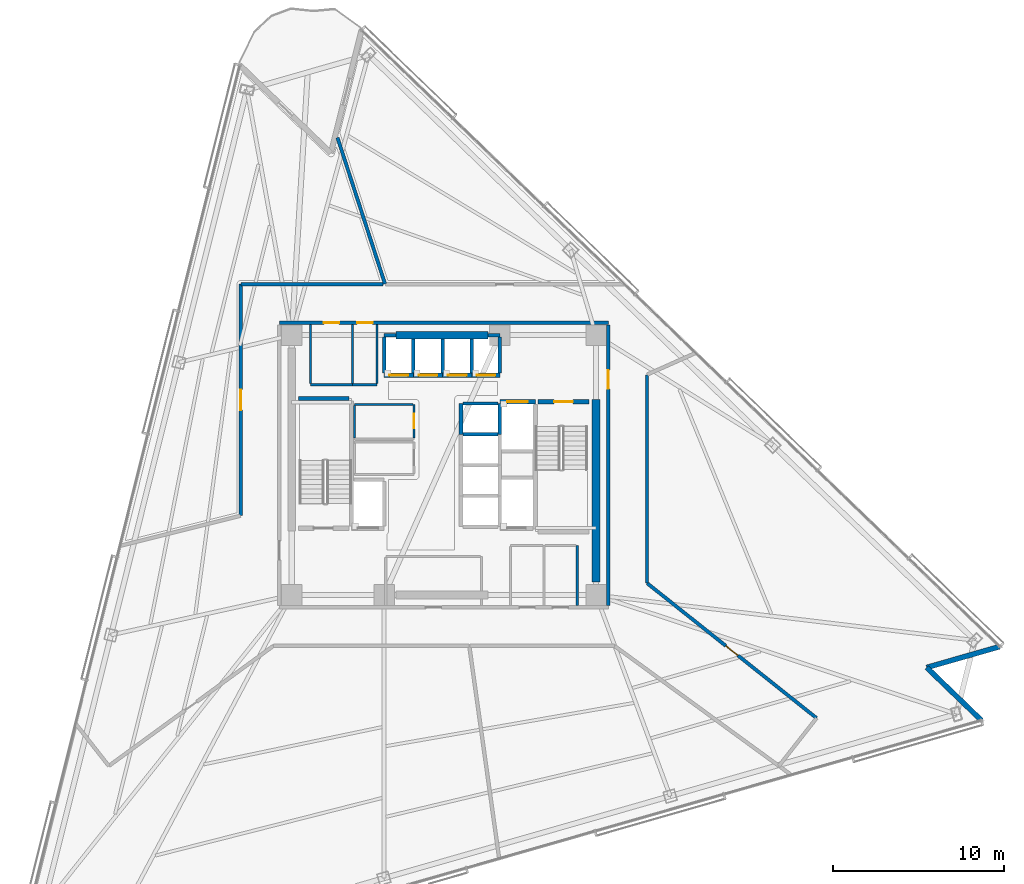
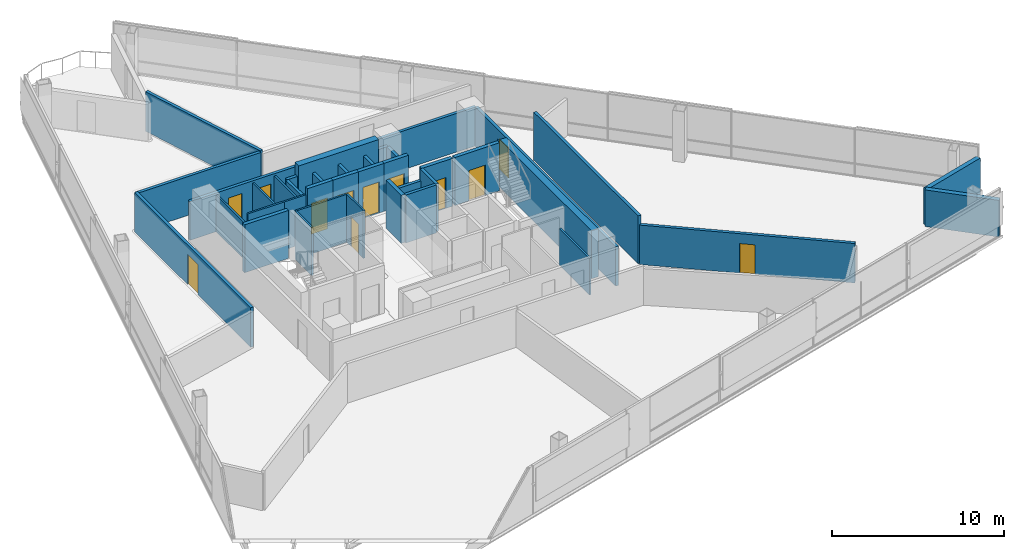
# One storey, part 10 of 18: 38 walls, 12 doors, 12 openings.
"""IFC4 building model written with IfcOpenShell, lengths in metres."""

from ifc_helpers import new_model, si_unit, direction, frame, frame_2d, origin, place, context, subcontext, project, spatial, rectangle, extrude, material, layer, layer_set, type_object, element, fill, save


model = new_model("IFC4")

# Units and contexts
model_context = context("Model", 3, precision=1e-05, world=origin(), true_north=direction((0.0, 1.0)))
body_context = subcontext(model_context, "Body", "Model", "MODEL_VIEW")
ifc_project = project(units=[si_unit("LENGTHUNIT", "METRE"), si_unit("AREAUNIT", "SQUARE_METRE"), si_unit("VOLUMEUNIT", "CUBIC_METRE"), si_unit("PLANEANGLEUNIT", "RADIAN"), si_unit("MASSUNIT", "GRAM", prefix="KILO")], contexts=[model_context])

# Site, building, storey
site_placement = place(None, origin())
site = spatial("IfcSite", under=ifc_project, at=site_placement, CompositionType="ELEMENT")
building_placement = place(site_placement, origin())
building = spatial("IfcBuilding", under=site, at=building_placement, Name="Tharavind Bronze Gate", CompositionType="ELEMENT")
storey_placement = place(building_placement, frame((0.0, 0.0, 100.5)))
storey = spatial("IfcBuildingStorey", under=building, at=storey_placement, Name="L25", CompositionType="ELEMENT", Elevation=100.5)

# Walls
ifc_material_1 = material(Name="Concrete C40/50", Category="concrete")
ifc_layer_1 = layer(ifc_material_1, 0.300048828125)
ifc_layer_set_1 = layer_set([ifc_layer_1], Name="Concrete C40/50")
wall_type_1 = type_object("IfcWallType", Name="EXTERIOR SPANDREL WALL 300", PredefinedType="STANDARD", material=ifc_layer_set_1)
wall_1_placement = place(storey_placement, frame((31.438720703125, -14.926513671875, 0.0), z_axis=(0.0, 0.0, 1.0), x_axis=(-0.719317126864, 0.694681848763, 0.0)))
element("IfcWall", 1, at=wall_1_placement, inside=storey, type_object=wall_type_1, Name="L25 notch cheek wall 3A", PredefinedType="STANDARD", context=body_context, shape_type="SweptSolid", body=[
    extrude(rectangle(XDim=4.439697265625, YDim=0.300048828125, at=frame_2d((2.2197265625, 0.0))), origin(), (0.0, 0.0, 1.0), 2.60498046875),
])
wall_2_placement = place(storey_placement, frame((28.2451171875, -11.84228515625, 0.0), z_axis=(0.0, 0.0, 1.0), x_axis=(0.961255810825, 0.275657878821, 0.0)))
element("IfcWall", 2, at=wall_2_placement, inside=storey, type_object=wall_type_1, Name="L25 notch cheek wall 3B", PredefinedType="STANDARD", context=body_context, shape_type="SweptSolid", body=[
    extrude(rectangle(XDim=4.43994140625, YDim=0.300048828125, at=frame_2d((2.219970703125, 0.0))), origin(), (0.0, 0.0, 1.0), 2.60498046875),
])

# Wall, openings, doors
ifc_material_2 = material(Name="Aerated Concrete Block", Category="concrete")
ifc_layer_2 = layer(ifc_material_2, 0.199951171875)
ifc_layer_set_2 = layer_set([ifc_layer_2], Name="Aerated Concrete Block")
wall_type_2 = type_object("IfcWallType", Name="FIRE RATED PARTITION 200", PredefinedType="PARTITIONING", material=ifc_layer_set_2)
wall_3_placement = place(storey_placement, frame((9.6201171875, 8.320068359375, 0.0), z_axis=(0.0, 0.0, 1.0), x_axis=(-1.0, 0.0, 0.0)))
wall_3 = element("IfcWall", 3, at=wall_3_placement, inside=storey, type_object=wall_type_2, Name="L25 north core corridor wall", PredefinedType="PARTITIONING", context=body_context, shape_type="SweptSolid", body=[
    extrude(rectangle(XDim=19.240234375, YDim=0.199951171875, at=frame_2d((9.6201171875, 0.0))), origin(), (0.0, 0.0, 1.0), 2.7548828125),
])
opening_1_placement = place(wall_3_placement, frame((15.7451171875, 0.0, 0.0)))
opening_1 = element("IfcOpeningElement", 4, at=opening_1_placement, cuts=wall_3, Name="Opening ID07", PredefinedType="OPENING", context=body_context, shape_type="SweptSolid", body=[
    extrude(rectangle(XDim=0.89990234375, YDim=2.10009765625, at=frame_2d((0.449951171875, 1.050048828125))), frame((0.0, 0.11009765625, 0.0), z_axis=(0.0, -1.0, 0.0), x_axis=(1.0, 0.0, 0.0)), (0.0, 0.0, 1.0), 0.219951171875),
])
opening_2_placement = place(wall_3_placement, frame((13.794921875, 0.0, 0.0)))
opening_2 = element("IfcOpeningElement", 5, at=opening_2_placement, cuts=wall_3, Name="Opening ID07", PredefinedType="OPENING", context=body_context, shape_type="SweptSolid", body=[
    extrude(rectangle(XDim=0.89990234375, YDim=2.10009765625, at=frame_2d((0.449951171875, 1.050048828125))), frame((0.0, 0.11009765625, 0.0), z_axis=(0.0, -1.0, 0.0), x_axis=(1.0, 0.0, 0.0)), (0.0, 0.0, 1.0), 0.219951171875),
])
ifc_material_3 = material(Name="Galvanised Fire Steel", Category="steel")
door_type_1 = type_object("IfcDoorType", Name="PLANT AND RISER FIRE DOOR 900X2100", OperationType="SINGLE_SWING_LEFT", PredefinedType="DOOR", material=ifc_material_3)
door_1_placement = place(opening_1_placement, origin())
door_1 = element("IfcDoor", 6, at=door_1_placement, inside=storey, type_object=door_type_1, Name="L25 Electrical Metering Room fire door", OperationType="SINGLE_SWING_LEFT", OverallHeight=2.10009765625, OverallWidth=0.89990234375, PredefinedType="DOOR", context=body_context, shape_type="SweptSolid", body=[
    extrude(rectangle(XDim=0.89990234375, YDim=2.10009765625, at=frame_2d((0.449951171875, 1.050048828125))), frame((0.0, 0.02490234375, 0.0), z_axis=(0.0, -1.0, 0.0), x_axis=(1.0, 0.0, 0.0)), (0.0, 0.0, 1.0), 0.050048828125),
])
fill(opening_1, door_1)
door_2_placement = place(opening_2_placement, origin())
door_2 = element("IfcDoor", 7, at=door_2_placement, inside=storey, type_object=door_type_1, Name="L25 Linen Cupboard fire door", OperationType="SINGLE_SWING_LEFT", OverallHeight=2.10009765625, OverallWidth=0.89990234375, PredefinedType="DOOR", context=body_context, shape_type="SweptSolid", body=[
    extrude(rectangle(XDim=0.89990234375, YDim=2.10009765625, at=frame_2d((0.449951171875, 1.050048828125))), frame((0.0, 0.02490234375, 0.0), z_axis=(0.0, -1.0, 0.0), x_axis=(1.0, 0.0, 0.0)), (0.0, 0.0, 1.0), 0.050048828125),
])
fill(opening_2, door_2)

# Wall, opening, door
wall_4_placement = place(storey_placement, frame((9.6201171875, -8.199951171875, 0.0), z_axis=(0.0, 0.0, 1.0), x_axis=(0.0, 1.0, 0.0)))
wall_4 = element("IfcWall", 8, at=wall_4_placement, inside=storey, type_object=wall_type_2, Name="L25 east core corridor wall", PredefinedType="PARTITIONING", context=body_context, shape_type="SweptSolid", body=[
    extrude(rectangle(XDim=16.39990234375, YDim=0.199951171875, at=frame_2d((8.199951171875, 0.0))), origin(), (0.0, 0.0, 1.0), 2.804931640625),
])
opening_3_placement = place(wall_4_placement, frame((12.64990234375, 0.0, 0.0)))
opening_3 = element("IfcOpeningElement", 9, at=opening_3_placement, cuts=wall_4, Name="Opening ID01", PredefinedType="OPENING", context=body_context, shape_type="SweptSolid", body=[
    extrude(rectangle(XDim=1.10009765625, YDim=2.14990234375, at=frame_2d((0.550048828125, 1.074951171875))), frame((0.0, 0.11009765625, 0.0), z_axis=(0.0, -1.0, 0.0), x_axis=(1.0, 0.0, 0.0)), (0.0, 0.0, 1.0), 0.219951171875),
])
ifc_material_4 = material(Name="Fire-Rated Steel", Category="steel")
door_type_2 = type_object("IfcDoorType", Name="STAIR CORE FIRE DOOR 1100X2150", OperationType="SINGLE_SWING_LEFT", PredefinedType="DOOR", material=ifc_material_4)
door_3_placement = place(opening_3_placement, frame((1.10009765625, 0.0, 0.0), z_axis=(0.0, 0.0, 1.0), x_axis=(-1.0, 0.0, 0.0)))
door_3 = element("IfcDoor", 10, at=door_3_placement, inside=storey, type_object=door_type_2, Name="L25 north east stair lobby fire door", OperationType="SINGLE_SWING_LEFT", OverallHeight=2.14990234375, OverallWidth=1.10009765625, PredefinedType="DOOR", context=body_context, shape_type="SweptSolid", body=[
    extrude(rectangle(XDim=1.10009765625, YDim=2.14990234375, at=frame_2d((0.550048828125, 1.074951171875))), frame((0.0, 0.02490234375, 0.0), z_axis=(0.0, -1.0, 0.0), x_axis=(1.0, 0.0, 0.0)), (0.0, 0.0, 1.0), 0.050048828125),
])
fill(opening_3, door_3)

# Walls
wall_5_placement = place(storey_placement, frame((-3.443359375, 10.597412109375, 0.0), z_axis=(0.0, 0.0, 1.0), x_axis=(-0.309010029932, 0.951058779152, 0.0)))
element("IfcWall", 11, at=wall_5_placement, inside=storey, type_object=wall_type_2, Name="L25 Industrial Design Open Studio partition", PredefinedType="PARTITIONING", context=body_context, shape_type="SweptSolid", body=[
    extrude(rectangle(XDim=9.002197265625, YDim=0.199951171875, at=frame_2d((4.5009765625, 0.0))), origin(), (0.0, 0.0, 1.0), 2.804931640625),
])
wall_6_placement = place(storey_placement, frame((-3.548095703125, 10.580078125, 0.0), z_axis=(0.0, 0.0, 1.0), x_axis=(-1.0, 0.0, 0.0)))
element("IfcWall", 12, at=wall_6_placement, inside=storey, type_object=wall_type_2, Name="L25 Design Review Room partition", PredefinedType="PARTITIONING", context=body_context, shape_type="SweptSolid", body=[
    extrude(rectangle(XDim=8.331298828125, YDim=0.199951171875, at=frame_2d((4.16552734375, 0.0))), origin(), (0.0, 0.0, 1.0), 2.7548828125),
])

# Wall, opening, door
wall_7_placement = place(storey_placement, frame((-11.8798828125, 10.579345703125, 0.0), z_axis=(0.0, 0.0, 1.0), x_axis=(0.0, -1.0, 0.0)))
wall_7 = element("IfcWall", 13, at=wall_7_placement, inside=storey, type_object=wall_type_2, Name="L25 Design Review Room partition", PredefinedType="PARTITIONING", context=body_context, shape_type="SweptSolid", body=[
    extrude(rectangle(XDim=13.521728515625, YDim=0.199951171875, at=frame_2d((6.7607421875, 0.0))), origin(), (0.0, 0.0, 1.0), 2.804931640625),
])
opening_4_placement = place(wall_7_placement, frame((6.160888671875, 0.0, 0.0)))
opening_4 = element("IfcOpeningElement", 14, at=opening_4_placement, cuts=wall_7, Name="Opening ID05", PredefinedType="OPENING", context=body_context, shape_type="SweptSolid", body=[
    extrude(rectangle(XDim=1.199951171875, YDim=2.14990234375, at=frame_2d((0.60009765625, 1.074951171875))), frame((0.0, 0.11009765625, 0.0), z_axis=(0.0, -1.0, 0.0), x_axis=(1.0, 0.0, 0.0)), (0.0, 0.0, 1.0), 0.219951171875),
])
ifc_material_5 = material(Name="Acoustic Laminated Glass", Category="glass")
door_type_3 = type_object("IfcDoorType", Name="MEETING ROOM GLAZED DOOR 1200X2150", OperationType="SINGLE_SWING_LEFT", PredefinedType="DOOR", material=ifc_material_5)
door_4_placement = place(opening_4_placement, origin())
door_4 = element("IfcDoor", 15, at=door_4_placement, inside=storey, type_object=door_type_3, Name="L25 Design Review Room door", OperationType="SINGLE_SWING_LEFT", OverallHeight=2.14990234375, OverallWidth=1.199951171875, PredefinedType="DOOR", context=body_context, shape_type="SweptSolid", body=[
    extrude(rectangle(XDim=1.199951171875, YDim=2.14990234375, at=frame_2d((0.60009765625, 1.074951171875))), frame((0.0, 0.02490234375, 0.0), z_axis=(0.0, -1.0, 0.0), x_axis=(1.0, 0.0, 0.0)), (0.0, 0.0, 1.0), 0.050048828125),
])
fill(opening_4, door_4)

wall_8_placement = place(storey_placement, frame((21.799560546875, -14.799560546875, 0.0), z_axis=(0.0, 0.0, 1.0), x_axis=(-0.782385885542, 0.62279396762, 0.0)))
wall_8 = element("IfcWall", 16, at=wall_8_placement, inside=storey, type_object=wall_type_2, Name="L25 Design Tea Pantry partition", PredefinedType="PARTITIONING", context=body_context, shape_type="SweptSolid", body=[
    extrude(rectangle(XDim=12.66650390625, YDim=0.199951171875, at=frame_2d((6.333251953125, 0.0))), origin(), (0.0, 0.0, 1.0), 2.804931640625),
])
opening_5_placement = place(wall_8_placement, frame((5.883056640625, 0.0, 0.0)))
opening_5 = element("IfcOpeningElement", 17, at=opening_5_placement, cuts=wall_8, Name="Opening ID07", PredefinedType="OPENING", context=body_context, shape_type="SweptSolid", body=[
    extrude(rectangle(XDim=0.89990234375, YDim=2.10009765625, at=frame_2d((0.449951171875, 1.050048828125))), frame((0.0, 0.11009765625, 0.0), z_axis=(0.0, -1.0, 0.0), x_axis=(1.0, 0.0, 0.0)), (0.0, 0.0, 1.0), 0.219951171875),
])
door_5_placement = place(opening_5_placement, origin())
door_5 = element("IfcDoor", 18, at=door_5_placement, inside=storey, type_object=door_type_1, Name="L25 Design Tea Pantry door", OperationType="SINGLE_SWING_LEFT", OverallHeight=2.10009765625, OverallWidth=0.89990234375, PredefinedType="DOOR", context=body_context, shape_type="SweptSolid", body=[
    extrude(rectangle(XDim=0.89990234375, YDim=2.10009765625, at=frame_2d((0.449951171875, 1.050048828125))), frame((0.0, 0.02490234375, 0.0), z_axis=(0.0, -1.0, 0.0), x_axis=(1.0, 0.0, 0.0)), (0.0, 0.0, 1.0), 0.050048828125),
])
fill(opening_5, door_5)

# Wall
wall_9_placement = place(storey_placement, frame((11.8798828125, -6.891357421875, 0.0), z_axis=(0.0, 0.0, 1.0), x_axis=(0.0, 1.0, 0.0)))
element("IfcWall", 19, at=wall_9_placement, inside=storey, type_object=wall_type_2, Name="L25 Design Tea Pantry partition", PredefinedType="PARTITIONING", context=body_context, shape_type="SweptSolid", body=[
    extrude(rectangle(XDim=12.16455078125, YDim=0.199951171875, at=frame_2d((6.082275390625, 0.0))), origin(), (0.0, 0.0, 1.0), 3.409912109375),
])

# Wall, opening, door
ifc_material_6 = material(Name="Metal Stud Gypsum Partition", Category="gypsum")
ifc_layer_3 = layer(ifc_material_6, 0.1201171875)
ifc_layer_set_3 = layer_set([ifc_layer_3], Name="Metal Stud Gypsum Partition")
wall_type_3 = type_object("IfcWallType", Name="INTERIOR PARTITION WALL 120", PredefinedType="PARTITIONING", material=ifc_layer_set_3)
wall_10_placement = place(storey_placement, frame((-1.75, 1.5849609375, 0.0), z_axis=(0.0, 0.0, 1.0), x_axis=(0.0, 1.0, 0.0)))
wall_10 = element("IfcWall", 20, at=wall_10_placement, inside=storey, type_object=wall_type_3, Name="L25 Cleaner Store Room partition 2", PredefinedType="PARTITIONING", context=body_context, shape_type="SweptSolid", body=[
    extrude(rectangle(XDim=1.965087890625, YDim=0.1201171875, at=frame_2d((0.982421875, 0.0))), origin(), (0.0, 0.0, 1.0), 3.409912109375),
])
opening_6_placement = place(wall_10_placement, frame((0.556884765625, 0.0, 0.0)))
opening_6 = element("IfcOpeningElement", 21, at=opening_6_placement, cuts=wall_10, Name="Opening ID06", PredefinedType="OPENING", context=body_context, shape_type="SweptSolid", body=[
    extrude(rectangle(XDim=0.85009765625, YDim=2.10009765625, at=frame_2d((0.425048828125, 1.050048828125))), frame((0.0, 0.07005859375, 0.0), z_axis=(0.0, -1.0, 0.0), x_axis=(1.0, 0.0, 0.0)), (0.0, 0.0, 1.0), 0.1401171875),
])
ifc_material_7 = material(Name="Moisture-Resistant Timber", Category="wood")
door_type_4 = type_object("IfcDoorType", Name="BATHROOM PRIVACY DOOR 850X2100", OperationType="SINGLE_SWING_RIGHT", PredefinedType="DOOR", material=ifc_material_7)
door_6_placement = place(opening_6_placement, frame((0.85009765625, 0.0, 0.0), z_axis=(0.0, 0.0, 1.0), x_axis=(-1.0, 0.0, 0.0)))
door_6 = element("IfcDoor", 22, at=door_6_placement, inside=storey, type_object=door_type_4, Name="L25 Cleaner Store Room door", OperationType="SINGLE_SWING_RIGHT", OverallHeight=2.10009765625, OverallWidth=0.85009765625, PredefinedType="DOOR", context=body_context, shape_type="SweptSolid", body=[
    extrude(rectangle(XDim=0.85009765625, YDim=2.10009765625, at=frame_2d((0.425048828125, 1.050048828125))), frame((0.0, 0.02490234375, 0.0), z_axis=(0.0, -1.0, 0.0), x_axis=(1.0, 0.0, 0.0)), (0.0, 0.0, 1.0), 0.050048828125),
])
fill(opening_6, door_6)

# Walls
wall_11_placement = place(storey_placement, frame((-1.81494140625, 3.550048828125, 0.0), z_axis=(0.0, 0.0, 1.0), x_axis=(-1.0, 0.0, 0.0)))
element("IfcWall", 23, at=wall_11_placement, inside=storey, type_object=wall_type_3, Name="L25 Cleaner Store Room partition 3", PredefinedType="PARTITIONING", context=body_context, shape_type="SweptSolid", body=[
    extrude(rectangle(XDim=3.405029296875, YDim=0.1201171875, at=frame_2d((1.70263671875, 0.0))), origin(), (0.0, 0.0, 1.0), 3.409912109375),
])
wall_12_placement = place(storey_placement, frame((-5.219970703125, 3.485107421875, 0.0), z_axis=(0.0, 0.0, 1.0), x_axis=(0.0, -1.0, 0.0)))
element("IfcWall", 24, at=wall_12_placement, inside=storey, type_object=wall_type_3, Name="L25 Cleaner Store Room partition 4", PredefinedType="PARTITIONING", context=body_context, shape_type="SweptSolid", body=[
    extrude(rectangle(XDim=1.900146484375, YDim=0.1201171875, at=frame_2d((0.9501953125, 0.0))), origin(), (0.0, 0.0, 1.0), 3.409912109375),
])
wall_13_placement = place(storey_placement, frame((-7.800048828125, 4.699951171875, 0.0), z_axis=(0.0, 0.0, 1.0), x_axis=(1.0, 0.0, 0.0)))
element("IfcWall", 25, at=wall_13_placement, inside=storey, type_object=wall_type_3, Name="L25 Electrical Metering Room partition 1", PredefinedType="PARTITIONING", context=body_context, shape_type="SweptSolid", body=[
    extrude(rectangle(XDim=2.449951171875, YDim=0.1201171875, at=frame_2d((1.22509765625, 0.0))), origin(), (0.0, 0.0, 1.0), 3.409912109375),
])
for number, where, z_axis, x_axis, name in (
    (26, (-5.35009765625, 4.764892578125, 0.0), (0.0, 0.0, 1.0), (0.0, 1.0, 0.0), "L25 Electrical Metering Room partition 2"),
    (27, (-7.800048828125, 8.215087890625, 0.0), (0.0, 0.0, 1.0), (0.0, -1.0, 0.0), "L25 Electrical Metering Room partition 4"),
):
    element("IfcWall", number, at=place(storey_placement, frame(where, z_axis=z_axis, x_axis=x_axis)), inside=storey, type_object=wall_type_3, Name=name, PredefinedType="PARTITIONING", context=body_context, shape_type="SweptSolid", body=[
        extrude(rectangle(XDim=3.4501953125, YDim=0.1201171875, at=frame_2d((1.72509765625, 0.0))), origin(), (0.0, 0.0, 1.0), 2.60498046875),
    ])
wall_14_placement = place(storey_placement, frame((-5.35009765625, 4.699951171875, 0.0), z_axis=(0.0, 0.0, 1.0), x_axis=(1.0, 0.0, 0.0)))
element("IfcWall", 28, at=wall_14_placement, inside=storey, type_object=wall_type_3, Name="L25 Linen Cupboard partition 1", PredefinedType="PARTITIONING", context=body_context, shape_type="SweptSolid", body=[
    extrude(rectangle(XDim=1.4501953125, YDim=0.1201171875, at=frame_2d((0.72509765625, 0.0))), origin(), (0.0, 0.0, 1.0), 3.409912109375),
])
wall_15_placement = place(storey_placement, frame((-3.89990234375, 4.764892578125, 0.0), z_axis=(0.0, 0.0, 1.0), x_axis=(0.0, 1.0, 0.0)))
element("IfcWall", 29, at=wall_15_placement, inside=storey, type_object=wall_type_3, Name="L25 Linen Cupboard partition 2", PredefinedType="PARTITIONING", context=body_context, shape_type="SweptSolid", body=[
    extrude(rectangle(XDim=3.4501953125, YDim=0.1201171875, at=frame_2d((1.72509765625, 0.0))), origin(), (0.0, 0.0, 1.0), 2.60498046875),
])
wall_16_placement = place(storey_placement, frame((7.800048828125, -8.215087890625, 0.0), z_axis=(0.0, 0.0, 1.0), x_axis=(0.0, 1.0, 0.0)))
element("IfcWall", 30, at=wall_16_placement, inside=storey, type_object=wall_type_3, Name="L25 Housekeeping Store partition 2", PredefinedType="PARTITIONING", context=body_context, shape_type="SweptSolid", body=[
    extrude(rectangle(XDim=3.51513671875, YDim=0.1201171875, at=frame_2d((1.757568359375, 0.0))), origin(), (0.0, 0.0, 1.0), 2.60498046875),
])
ifc_material_8 = material(Name="Concrete C50/60", Category="concrete")
ifc_layer_4 = layer(ifc_material_8, 0.25)
ifc_layer_set_4 = layer_set([ifc_layer_4], Name="Concrete C50/60")
wall_type_4 = type_object("IfcWallType", Name="RC CORE SHEAR WALL 250", PredefinedType="SHEAR", material=ifc_layer_set_4)
wall_17_placement = place(storey_placement, frame((-8.5, 3.89990234375, 0.0), z_axis=(0.0, 0.0, 1.0), x_axis=(1.0, 0.0, 0.0)))
element("IfcWall", 31, at=wall_17_placement, inside=storey, type_object=wall_type_4, Name="L25 ST1 shaft north wall", PredefinedType="SHEAR", context=body_context, shape_type="SweptSolid", body=[
    extrude(rectangle(XDim=2.949951171875, YDim=0.25, at=frame_2d((1.47509765625, 0.0))), origin(), (0.0, 0.0, 1.0), 3.409912109375),
])

# Wall, opening, door
wall_18_placement = place(storey_placement, frame((5.5, 3.699951171875, 0.0), z_axis=(0.0, 0.0, 1.0), x_axis=(1.0, 0.0, 0.0)))
wall_18 = element("IfcWall", 32, at=wall_18_placement, inside=storey, type_object=wall_type_4, Name="L25 ST2 shaft north wall", PredefinedType="SHEAR", context=body_context, shape_type="SweptSolid", body=[
    extrude(rectangle(XDim=3.0, YDim=0.25, at=frame_2d((1.5, 0.0))), origin(), (0.0, 0.0, 1.0), 3.409912109375),
])
opening_7_placement = place(wall_18_placement, frame((0.949951171875, 0.0, 0.0)))
opening_7 = element("IfcOpeningElement", 33, at=opening_7_placement, cuts=wall_18, Name="Opening ID01", PredefinedType="OPENING", context=body_context, shape_type="SweptSolid", body=[
    extrude(rectangle(XDim=1.10009765625, YDim=2.14990234375, at=frame_2d((0.550048828125, 1.074951171875))), frame((0.0, 0.135, 0.0), z_axis=(0.0, -1.0, 0.0), x_axis=(1.0, 0.0, 0.0)), (0.0, 0.0, 1.0), 0.27),
])
door_7_placement = place(opening_7_placement, frame((1.10009765625, 0.0, 0.0), z_axis=(0.0, 0.0, 1.0), x_axis=(-1.0, 0.0, 0.0)))
door_7 = element("IfcDoor", 34, at=door_7_placement, inside=storey, type_object=door_type_2, Name="L25 exit stair ST2 fire door", OperationType="SINGLE_SWING_LEFT", OverallHeight=2.14990234375, OverallWidth=1.10009765625, PredefinedType="DOOR", context=body_context, shape_type="SweptSolid", body=[
    extrude(rectangle(XDim=1.10009765625, YDim=2.14990234375, at=frame_2d((0.550048828125, 1.074951171875))), frame((0.0, 0.02490234375, 0.0), z_axis=(0.0, -1.0, 0.0), x_axis=(1.0, 0.0, 0.0)), (0.0, 0.0, 1.0), 0.050048828125),
])
fill(opening_7, door_7)

wall_19_placement = place(storey_placement, frame((-3.5, 5.25, 0.0), z_axis=(0.0, 0.0, 1.0), x_axis=(1.0, 0.0, 0.0)))
wall_19 = element("IfcWall", 35, at=wall_19_placement, inside=storey, type_object=wall_type_4, Name="L25 lift PL5 shaft front wall", PredefinedType="SHEAR", context=body_context, shape_type="SweptSolid", body=[
    extrude(rectangle(XDim=1.71240234375, YDim=0.25, at=frame_2d((0.856201171875, 0.0))), origin(), (0.0, 0.0, 1.0), 3.409912109375),
])
opening_8_placement = place(wall_19_placement, frame((0.305908203125, 0.0, 0.0)))
opening_8 = element("IfcOpeningElement", 36, at=opening_8_placement, cuts=wall_19, Name="Opening LD01", PredefinedType="OPENING", context=body_context, shape_type="SweptSolid", body=[
    extrude(rectangle(XDim=1.10009765625, YDim=2.199951171875, at=frame_2d((0.550048828125, 1.10009765625))), frame((0.0, 0.135, 0.0), z_axis=(0.0, -1.0, 0.0), x_axis=(1.0, 0.0, 0.0)), (0.0, 0.0, 1.0), 0.27),
])
ifc_material_9 = material(Name="Brushed Bronze Stainless Steel", Category="steel")
door_type_5 = type_object("IfcDoorType", Name="LIFT LANDING SLIDING DOOR 1100X2200", OperationType="SLIDING_TO_LEFT", PredefinedType="DOOR", material=ifc_material_9)
door_8_placement = place(opening_8_placement, origin())
door_8 = element("IfcDoor", 37, at=door_8_placement, inside=storey, type_object=door_type_5, Name="L25 lift PL5 sliding landing door", OperationType="SLIDING_TO_LEFT", OverallHeight=2.199951171875, OverallWidth=1.10009765625, PredefinedType="DOOR", context=body_context, shape_type="SweptSolid", body=[
    extrude(rectangle(XDim=1.10009765625, YDim=2.199951171875, at=frame_2d((0.550048828125, 1.10009765625))), frame((0.0, 0.02490234375, 0.0), z_axis=(0.0, -1.0, 0.0), x_axis=(1.0, 0.0, 0.0)), (0.0, 0.0, 1.0), 0.050048828125),
])
fill(opening_8, door_8)

wall_20_placement = place(storey_placement, frame((-1.78759765625, 5.25, 0.0), z_axis=(0.0, 0.0, 1.0), x_axis=(1.0, 0.0, 0.0)))
wall_20 = element("IfcWall", 38, at=wall_20_placement, inside=storey, type_object=wall_type_4, Name="L25 lift PL6 shaft front wall", PredefinedType="SHEAR", context=body_context, shape_type="SweptSolid", body=[
    extrude(rectangle(XDim=1.712646484375, YDim=0.25, at=frame_2d((0.8564453125, 0.0))), origin(), (0.0, 0.0, 1.0), 3.409912109375),
])
opening_9_placement = place(wall_20_placement, frame((0.305908203125, 0.0, 0.0)))
opening_9 = element("IfcOpeningElement", 39, at=opening_9_placement, cuts=wall_20, Name="Opening LD01", PredefinedType="OPENING", context=body_context, shape_type="SweptSolid", body=[
    extrude(rectangle(XDim=1.10009765625, YDim=2.199951171875, at=frame_2d((0.550048828125, 1.10009765625))), frame((0.0, 0.135, 0.0), z_axis=(0.0, -1.0, 0.0), x_axis=(1.0, 0.0, 0.0)), (0.0, 0.0, 1.0), 0.27),
])
door_9_placement = place(opening_9_placement, origin())
door_9 = element("IfcDoor", 40, at=door_9_placement, inside=storey, type_object=door_type_5, Name="L25 lift PL6 sliding landing door", OperationType="SLIDING_TO_LEFT", OverallHeight=2.199951171875, OverallWidth=1.10009765625, PredefinedType="DOOR", context=body_context, shape_type="SweptSolid", body=[
    extrude(rectangle(XDim=1.10009765625, YDim=2.199951171875, at=frame_2d((0.550048828125, 1.10009765625))), frame((0.0, 0.02490234375, 0.0), z_axis=(0.0, -1.0, 0.0), x_axis=(1.0, 0.0, 0.0)), (0.0, 0.0, 1.0), 0.050048828125),
])
fill(opening_9, door_9)

wall_21_placement = place(storey_placement, frame((-0.074951171875, 5.25, 0.0), z_axis=(0.0, 0.0, 1.0), x_axis=(1.0, 0.0, 0.0)))
wall_21 = element("IfcWall", 41, at=wall_21_placement, inside=storey, type_object=wall_type_4, Name="L25 lift PL7 shaft front wall", PredefinedType="SHEAR", context=body_context, shape_type="SweptSolid", body=[
    extrude(rectangle(XDim=1.71240234375, YDim=0.25, at=frame_2d((0.856201171875, 0.0))), origin(), (0.0, 0.0, 1.0), 3.409912109375),
])
opening_10_placement = place(wall_21_placement, frame((0.305908203125, 0.0, 0.0)))
opening_10 = element("IfcOpeningElement", 42, at=opening_10_placement, cuts=wall_21, Name="Opening LD01", PredefinedType="OPENING", context=body_context, shape_type="SweptSolid", body=[
    extrude(rectangle(XDim=1.10009765625, YDim=2.199951171875, at=frame_2d((0.550048828125, 1.10009765625))), frame((0.0, 0.135, 0.0), z_axis=(0.0, -1.0, 0.0), x_axis=(1.0, 0.0, 0.0)), (0.0, 0.0, 1.0), 0.27),
])
door_10_placement = place(opening_10_placement, origin())
door_10 = element("IfcDoor", 43, at=door_10_placement, inside=storey, type_object=door_type_5, Name="L25 lift PL7 sliding landing door", OperationType="SLIDING_TO_LEFT", OverallHeight=2.199951171875, OverallWidth=1.10009765625, PredefinedType="DOOR", context=body_context, shape_type="SweptSolid", body=[
    extrude(rectangle(XDim=1.10009765625, YDim=2.199951171875, at=frame_2d((0.550048828125, 1.10009765625))), frame((0.0, 0.02490234375, 0.0), z_axis=(0.0, -1.0, 0.0), x_axis=(1.0, 0.0, 0.0)), (0.0, 0.0, 1.0), 0.050048828125),
])
fill(opening_10, door_10)

wall_22_placement = place(storey_placement, frame((1.637451171875, 5.25, 0.0), z_axis=(0.0, 0.0, 1.0), x_axis=(1.0, 0.0, 0.0)))
wall_22 = element("IfcWall", 44, at=wall_22_placement, inside=storey, type_object=wall_type_4, Name="L25 lift PL8 shaft front wall", PredefinedType="SHEAR", context=body_context, shape_type="SweptSolid", body=[
    extrude(rectangle(XDim=1.642578125, YDim=0.25, at=frame_2d((0.8212890625, 0.0))), origin(), (0.0, 0.0, 1.0), 3.409912109375),
])
opening_11_placement = place(wall_22_placement, frame((0.27099609375, 0.0, 0.0)))
opening_11 = element("IfcOpeningElement", 45, at=opening_11_placement, cuts=wall_22, Name="Opening LD01", PredefinedType="OPENING", context=body_context, shape_type="SweptSolid", body=[
    extrude(rectangle(XDim=1.10009765625, YDim=2.199951171875, at=frame_2d((0.550048828125, 1.10009765625))), frame((0.0, 0.135, 0.0), z_axis=(0.0, -1.0, 0.0), x_axis=(1.0, 0.0, 0.0)), (0.0, 0.0, 1.0), 0.27),
])
door_11_placement = place(opening_11_placement, origin())
door_11 = element("IfcDoor", 46, at=door_11_placement, inside=storey, type_object=door_type_5, Name="L25 lift PL8 sliding landing door", OperationType="SLIDING_TO_LEFT", OverallHeight=2.199951171875, OverallWidth=1.10009765625, PredefinedType="DOOR", context=body_context, shape_type="SweptSolid", body=[
    extrude(rectangle(XDim=1.10009765625, YDim=2.199951171875, at=frame_2d((0.550048828125, 1.10009765625))), frame((0.0, 0.02490234375, 0.0), z_axis=(0.0, -1.0, 0.0), x_axis=(1.0, 0.0, 0.0)), (0.0, 0.0, 1.0), 0.050048828125),
])
fill(opening_11, door_11)

# Wall
wall_23_placement = place(storey_placement, frame((1.0, 1.800048828125, 0.0), z_axis=(0.0, 0.0, 1.0), x_axis=(0.0, 1.0, 0.0)))
element("IfcWall", 47, at=wall_23_placement, inside=storey, type_object=wall_type_4, Name="L25 lift PL12 shaft front wall", PredefinedType="SHEAR", context=body_context, shape_type="SweptSolid", body=[
    extrude(rectangle(XDim=1.800048828125, YDim=0.25, at=frame_2d((0.89990234375, 0.0))), origin(), (0.0, 0.0, 1.0), 3.409912109375),
])

# Wall, opening, door
wall_24_placement = place(storey_placement, frame((3.280029296875, 3.699951171875, 0.0), z_axis=(0.0, 0.0, 1.0), x_axis=(1.0, 0.0, 0.0)))
wall_24 = element("IfcWall", 48, at=wall_24_placement, inside=storey, type_object=wall_type_4, Name="L25 lift FFL2 shaft front wall", PredefinedType="SHEAR", context=body_context, shape_type="SweptSolid", body=[
    extrude(rectangle(XDim=2.070068359375, YDim=0.25, at=frame_2d((1.03515625, 0.0))), origin(), (0.0, 0.0, 1.0), 3.409912109375),
])
opening_12_placement = place(wall_24_placement, frame((0.43505859375, 0.0, 0.0)))
opening_12 = element("IfcOpeningElement", 49, at=opening_12_placement, cuts=wall_24, Name="Opening LD02", PredefinedType="OPENING", context=body_context, shape_type="SweptSolid", body=[
    extrude(rectangle(XDim=1.199951171875, YDim=2.199951171875, at=frame_2d((0.60009765625, 1.10009765625))), frame((0.0, 0.135, 0.0), z_axis=(0.0, -1.0, 0.0), x_axis=(1.0, 0.0, 0.0)), (0.0, 0.0, 1.0), 0.27),
])
ifc_material_10 = material(Name="Brushed Stainless Steel", Category="steel")
door_type_6 = type_object("IfcDoorType", Name="FIREFIGHTING LIFT LANDING DOOR 1200X2200", OperationType="SLIDING_TO_RIGHT", PredefinedType="DOOR", material=ifc_material_10)
door_12_placement = place(opening_12_placement, origin())
door_12 = element("IfcDoor", 50, at=door_12_placement, inside=storey, type_object=door_type_6, Name="L25 lift FFL2 sliding landing door", OperationType="SLIDING_TO_RIGHT", OverallHeight=2.199951171875, OverallWidth=1.199951171875, PredefinedType="DOOR", context=body_context, shape_type="SweptSolid", body=[
    extrude(rectangle(XDim=1.199951171875, YDim=2.199951171875, at=frame_2d((0.60009765625, 1.10009765625))), frame((0.0, 0.02490234375, 0.0), z_axis=(0.0, -1.0, 0.0), x_axis=(1.0, 0.0, 0.0)), (0.0, 0.0, 1.0), 0.050048828125),
])
fill(opening_12, door_12)

# Walls
ifc_material_11 = material(Name="Concrete C60/75", Category="concrete")
ifc_layer_5 = layer(ifc_material_11, 0.449951171875)
ifc_layer_set_5 = layer_set([ifc_layer_5], Name="Concrete C60/75")
wall_type_5 = type_object("IfcWallType", Name="RC CORE SHEAR WALL 450", PredefinedType="SHEAR", material=ifc_layer_set_5)
wall_25_placement = place(storey_placement, frame((-2.800048828125, 7.60009765625, 0.0), z_axis=(0.0, 0.0, 1.0), x_axis=(1.0, 0.0, 0.0)))
element("IfcWall", 51, at=wall_25_placement, inside=storey, type_object=wall_type_5, Name="L25 north core shear wall", PredefinedType="SHEAR", context=body_context, shape_type="SweptSolid", body=[
    extrude(rectangle(XDim=5.380126953125, YDim=0.449951171875, at=frame_2d((2.68994140625, 0.0))), origin(), (0.0, 0.0, 1.0), 3.409912109375),
])
wall_26_placement = place(storey_placement, frame((8.89990234375, -6.85009765625, 0.0), z_axis=(0.0, 0.0, 1.0), x_axis=(0.0, 1.0, 0.0)))
element("IfcWall", 52, at=wall_26_placement, inside=storey, type_object=wall_type_5, Name="L25 east core shear wall", PredefinedType="SHEAR", context=body_context, shape_type="SweptSolid", body=[
    extrude(rectangle(XDim=10.7001953125, YDim=0.449951171875, at=frame_2d((5.35009765625, 0.0))), origin(), (0.0, 0.0, 1.0), 3.409912109375),
])
ifc_layer_6 = layer(ifc_material_1, 0.199951171875)
ifc_layer_set_6 = layer_set([ifc_layer_6], Name="Concrete C40/50")
wall_type_6 = type_object("IfcWallType", Name="SHAFT ENCLOSURE WALL 200", PredefinedType="PARTITIONING", material=ifc_layer_set_6)
wall_27_placement = place(storey_placement, frame((-3.5, 7.60009765625, 0.0), z_axis=(0.0, 0.0, 1.0), x_axis=(1.0, 0.0, 0.0)))
element("IfcWall", 53, at=wall_27_placement, inside=storey, type_object=wall_type_6, Name="L25 lift PL5 shaft N enclosure wall", PredefinedType="PARTITIONING", context=body_context, shape_type="SweptSolid", body=[
    extrude(rectangle(XDim=0.699951171875, YDim=0.199951171875, at=frame_2d((0.35009765625, 0.0))), origin(), (0.0, 0.0, 1.0), 2.60498046875),
])
wall_28_placement = place(storey_placement, frame((-3.5, 5.3798828125, 0.0), z_axis=(0.0, 0.0, 1.0), x_axis=(0.0, 1.0, 0.0)))
element("IfcWall", 54, at=wall_28_placement, inside=storey, type_object=wall_type_6, Name="L25 lift PL5 shaft W enclosure wall", PredefinedType="PARTITIONING", context=body_context, shape_type="SweptSolid", body=[
    extrude(rectangle(XDim=2.115234375, YDim=0.199951171875, at=frame_2d((1.0576171875, 0.0))), origin(), (0.0, 0.0, 1.0), 2.60498046875),
])
for number, where, z_axis, x_axis, name in (
    (55, (-1.78759765625, 5.3798828125, 0.0), (0.0, 0.0, 1.0), (0.0, 1.0, 0.0), "L25 lift PL5 shaft E enclosure wall"),
    (56, (-0.074951171875, 5.3798828125, 0.0), (0.0, 0.0, 1.0), (0.0, 1.0, 0.0), "L25 lift PL6 shaft E enclosure wall"),
    (57, (1.637451171875, 5.3798828125, 0.0), (0.0, 0.0, 1.0), (0.0, 1.0, 0.0), "L25 lift PL7 shaft E enclosure wall"),
):
    element("IfcWall", number, at=place(storey_placement, frame(where, z_axis=z_axis, x_axis=x_axis)), inside=storey, type_object=wall_type_6, Name=name, PredefinedType="PARTITIONING", context=body_context, shape_type="SweptSolid", body=[
        extrude(rectangle(XDim=1.990234375, YDim=0.199951171875, at=frame_2d((0.9951171875, 0.0))), origin(), (0.0, 0.0, 1.0), 2.60498046875),
    ])
wall_29_placement = place(storey_placement, frame((2.580078125, 7.60009765625, 0.0), z_axis=(0.0, 0.0, 1.0), x_axis=(1.0, 0.0, 0.0)))
element("IfcWall", 58, at=wall_29_placement, inside=storey, type_object=wall_type_6, Name="L25 lift PL8 shaft N enclosure wall", PredefinedType="PARTITIONING", context=body_context, shape_type="SweptSolid", body=[
    extrude(rectangle(XDim=0.699951171875, YDim=0.199951171875, at=frame_2d((0.35009765625, 0.0))), origin(), (0.0, 0.0, 1.0), 2.60498046875),
])
wall_30_placement = place(storey_placement, frame((3.280029296875, 5.3798828125, 0.0), z_axis=(0.0, 0.0, 1.0), x_axis=(0.0, 1.0, 0.0)))
element("IfcWall", 59, at=wall_30_placement, inside=storey, type_object=wall_type_6, Name="L25 lift PL8 shaft E enclosure wall", PredefinedType="PARTITIONING", context=body_context, shape_type="SweptSolid", body=[
    extrude(rectangle(XDim=2.115234375, YDim=0.199951171875, at=frame_2d((1.0576171875, 0.0))), origin(), (0.0, 0.0, 1.0), 2.60498046875),
])
wall_31_placement = place(storey_placement, frame((1.1298828125, 1.800048828125, 0.0), z_axis=(0.0, 0.0, 1.0), x_axis=(1.0, 0.0, 0.0)))
element("IfcWall", 60, at=wall_31_placement, inside=storey, type_object=wall_type_6, Name="L25 lift PL11 shaft N enclosure wall", PredefinedType="PARTITIONING", context=body_context, shape_type="SweptSolid", body=[
    extrude(rectangle(XDim=2.045166015625, YDim=0.199951171875, at=frame_2d((1.0224609375, 0.0))), origin(), (0.0, 0.0, 1.0), 3.409912109375),
])
wall_32_placement = place(storey_placement, frame((3.280029296875, 1.800048828125, 0.0), z_axis=(0.0, 0.0, 1.0), x_axis=(0.0, 1.0, 0.0)))
element("IfcWall", 61, at=wall_32_placement, inside=storey, type_object=wall_type_6, Name="L25 lift PL12 shaft E enclosure wall", PredefinedType="PARTITIONING", context=body_context, shape_type="SweptSolid", body=[
    extrude(rectangle(XDim=1.800048828125, YDim=0.199951171875, at=frame_2d((0.89990234375, 0.0))), origin(), (0.0, 0.0, 1.0), 3.409912109375),
])
wall_33_placement = place(storey_placement, frame((1.1298828125, 3.60009765625, 0.0), z_axis=(0.0, 0.0, 1.0), x_axis=(1.0, 0.0, 0.0)))
element("IfcWall", 62, at=wall_33_placement, inside=storey, type_object=wall_type_6, Name="L25 lift PL12 shaft N enclosure wall", PredefinedType="PARTITIONING", context=body_context, shape_type="SweptSolid", body=[
    extrude(rectangle(XDim=2.045166015625, YDim=0.199951171875, at=frame_2d((1.0224609375, 0.0))), origin(), (0.0, 0.0, 1.0), 2.60498046875),
])

save(model, "model.ifc")
